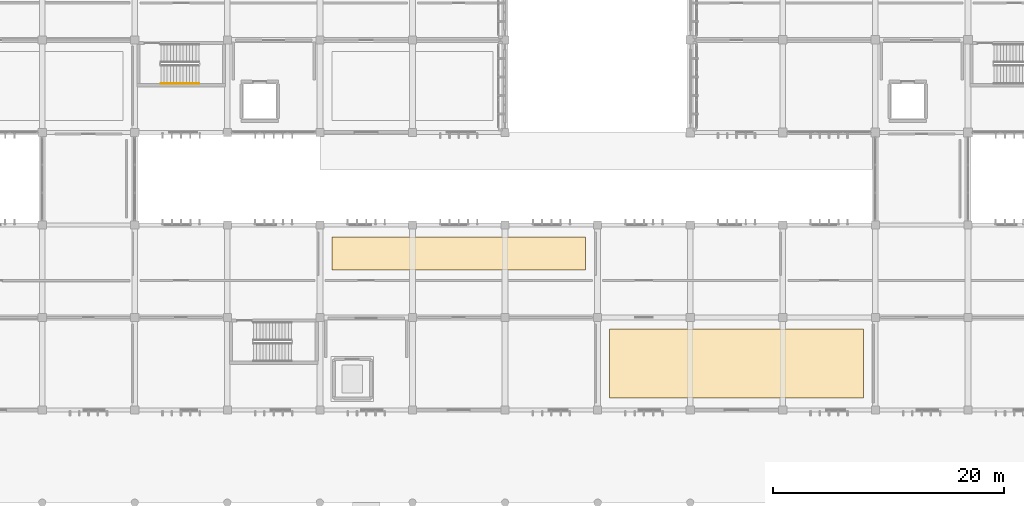
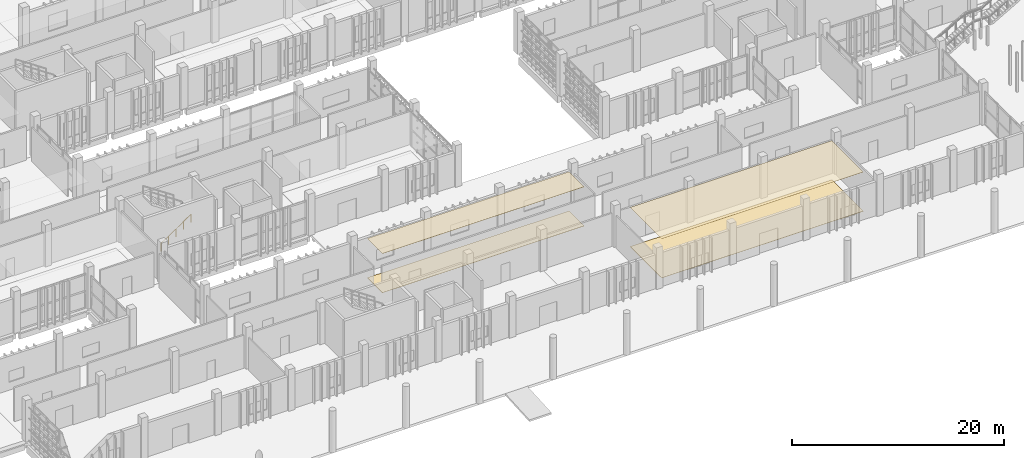
# One storey, part 107 of 117: 4 coverings, 1 railing.
"""IFC4 building model written with IfcOpenShell, lengths in metres."""

from ifc_helpers import new_model, si_unit, direction, frame, origin, origin_2d, place, context, subcontext, project, spatial, polyline, circle, outline, extrude, material, layer, layer_set, type_object, element, save


model = new_model("IFC4")

# Units and contexts
model_context = context("Model", 3, precision=1e-05, world=origin(), true_north=direction((0.0, 1.0)))
body_context = subcontext(model_context, "Body", "Model", "MODEL_VIEW")
ifc_project = project(units=[si_unit("LENGTHUNIT", "METRE"), si_unit("AREAUNIT", "SQUARE_METRE"), si_unit("VOLUMEUNIT", "CUBIC_METRE"), si_unit("PLANEANGLEUNIT", "RADIAN"), si_unit("MASSUNIT", "GRAM", prefix="KILO")], contexts=[model_context])

# Site, building, storey
site_placement = place(None, origin())
site = spatial("IfcSite", under=ifc_project, at=site_placement, CompositionType="ELEMENT")
building_placement = place(site_placement, origin())
building = spatial("IfcBuilding", under=site, at=building_placement, Name="Jelvoka-Kovrelna Polytechnic", CompositionType="ELEMENT")
storey_placement = place(building_placement, origin())
storey = spatial("IfcBuildingStorey", under=building, at=storey_placement, Name="L01", CompositionType="ELEMENT", Elevation=0.0)

# Coverings
ifc_material_1 = material(Name="Mineral fibre acoustic ceiling tile")
ifc_layer_1 = layer(ifc_material_1, 0.02490234375)
ifc_layer_set_1 = layer_set([ifc_layer_1], Name="Mineral fibre acoustic ceiling tile")
covering_type_1 = type_object("IfcCoveringType", Name="Covering_Acoustic_Ceiling_25", PredefinedType="CEILING", material=ifc_layer_set_1)
covering_1_placement = place(storey_placement, frame((0.0, 0.0, 4.510009765625)))
element("IfcCovering", 1, at=covering_1_placement, inside=storey, type_object=covering_type_1, Name="L01 acoustic ceiling 001", PredefinedType="CEILING", context=body_context, shape_type="SweptSolid", body=[
    extrude(outline(polyline([(121.030029296875, 9.050048828125), (142.969970703125, 9.050048828125), (142.969970703125, 15.0), (121.030029296875, 15.0), (121.030029296875, 9.050048828125)])), origin(), (0.0, 0.0, 1.0), 0.02490234375),
])
covering_2_placement = place(storey_placement, frame((0.0, 0.0, 4.510009765625)))
element("IfcCovering", 2, at=covering_2_placement, inside=storey, type_object=covering_type_1, Name="L01 acoustic ceiling 002", PredefinedType="CEILING", context=body_context, shape_type="SweptSolid", body=[
    extrude(outline(polyline([(97.030029296875, 20.10009765625), (118.969970703125, 20.10009765625), (118.969970703125, 22.949951171875), (97.030029296875, 22.949951171875), (97.030029296875, 20.10009765625)])), origin(), (0.0, 0.0, 1.0), 0.02490234375),
])
ifc_material_2 = material(Name="Polished epoxy terrazzo flooring")
ifc_layer_2 = layer(ifc_material_2, 0.030029296875)
ifc_layer_set_2 = layer_set([ifc_layer_2], Name="Polished epoxy terrazzo flooring")
covering_type_2 = type_object("IfcCoveringType", Name="Covering_Terrazzo_Floor_30", PredefinedType="FLOORING", material=ifc_layer_set_2)
covering_3_placement = place(storey_placement, origin())
element("IfcCovering", 3, at=covering_3_placement, inside=storey, type_object=covering_type_2, Name="L01 terrazzo floor finish 001", PredefinedType="FLOORING", context=body_context, shape_type="SweptSolid", body=[
    extrude(outline(polyline([(121.030029296875, 9.050048828125), (142.969970703125, 9.050048828125), (142.969970703125, 15.0), (121.030029296875, 15.0), (121.030029296875, 9.050048828125)])), origin(), (0.0, 0.0, 1.0), 0.030029296875),
])
covering_4_placement = place(storey_placement, origin())
element("IfcCovering", 4, at=covering_4_placement, inside=storey, type_object=covering_type_2, Name="L01 terrazzo floor finish 002", PredefinedType="FLOORING", context=body_context, shape_type="SweptSolid", body=[
    extrude(outline(polyline([(97.030029296875, 20.10009765625), (118.969970703125, 20.10009765625), (118.969970703125, 22.949951171875), (97.030029296875, 22.949951171875), (97.030029296875, 20.10009765625)])), origin(), (0.0, 0.0, 1.0), 0.030029296875),
])

# Railing
ifc_material_3 = material(Name="Brushed stainless steel handrail", Category="steel")
railing_type = type_object("IfcRailingType", Name="Railing_Stair_Handrail_900", PredefinedType="HANDRAIL", material=ifc_material_3)
railing_placement = place(storey_placement, frame((82.25, 36.25, 0.1845703125)))
element("IfcRailing", 5, at=railing_placement, inside=storey, type_object=railing_type, Name="L01 ST07 stair handrail 1", PredefinedType="HANDRAIL", context=body_context, shape_type="SweptSolid", body=[
    extrude(circle(Radius=0.02392578125, at=origin_2d()), frame((0.0, 0.0, 0.8759765625), z_axis=(0.830269453126, 0.0, 0.557362211857), x_axis=(0.0, 1.0, 0.0)), (0.0, 0.0, 1.0), 3.974609375),
    extrude(circle(Radius=0.02099609375, at=origin_2d()), origin(), (0.0, 0.0, 1.0), 0.851806640625),
    extrude(circle(Radius=0.02099609375, at=origin_2d()), frame((0.824951171875, 0.0, 0.5537109375)), (0.0, 0.0, 1.0), 0.851806640625),
    extrude(circle(Radius=0.02099609375, at=origin_2d()), frame((1.64990234375, 0.0, 1.107666015625)), (0.0, 0.0, 1.0), 0.851806640625),
    extrude(circle(Radius=0.02099609375, at=origin_2d()), frame((2.47509765625, 0.0, 1.66162109375)), (0.0, 0.0, 1.0), 0.851806640625),
    extrude(circle(Radius=0.02099609375, at=origin_2d()), frame((3.300048828125, 0.0, 2.21533203125)), (0.0, 0.0, 1.0), 0.851806640625),
])

save(model, "model.ifc")
